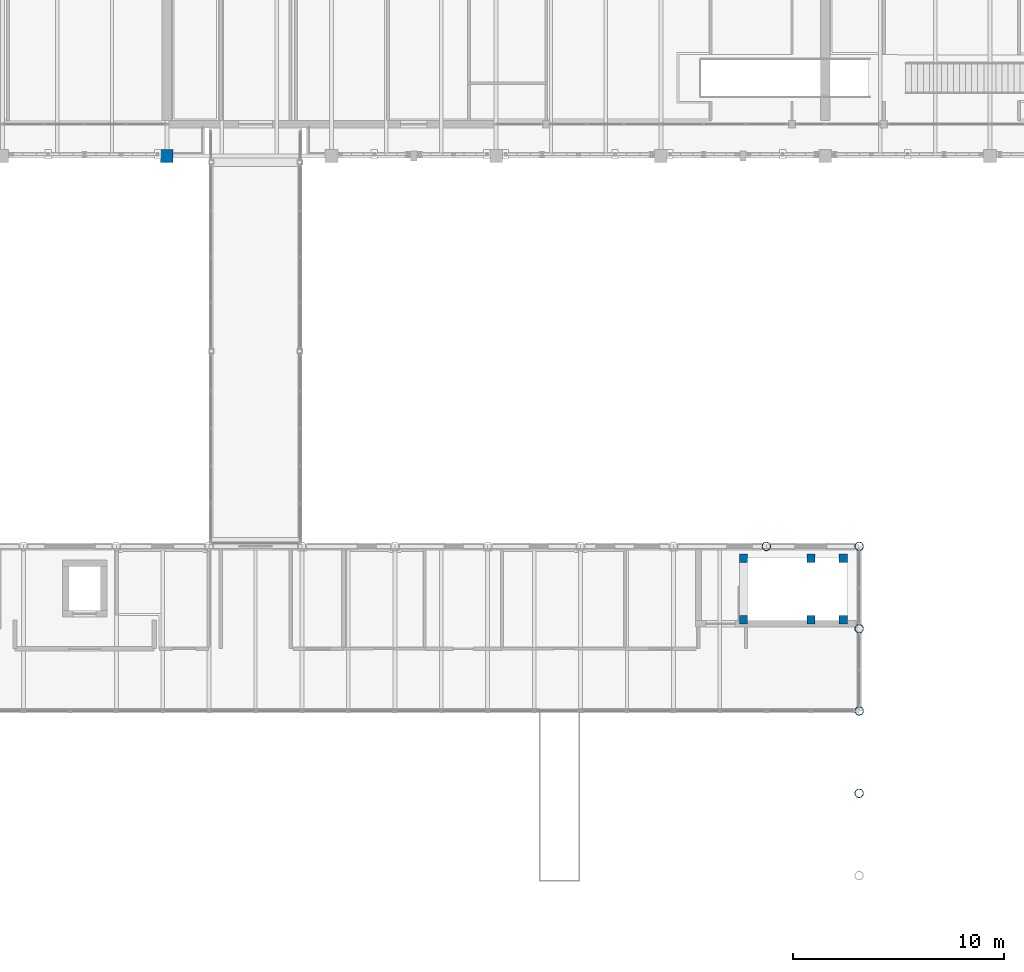
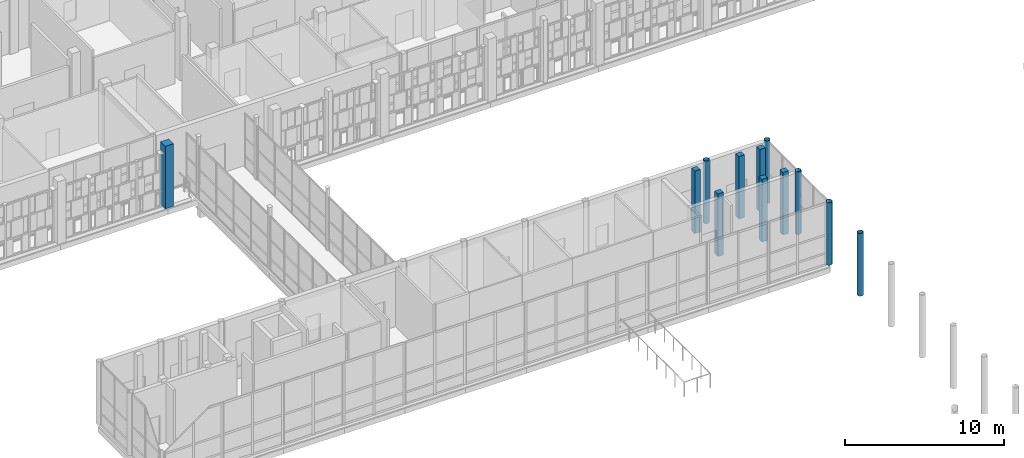
# One storey, part 12 of 138: 12 columns.
"""IFC4 building model written with IfcOpenShell, lengths in metres."""

from ifc_helpers import new_model, si_unit, direction, frame, origin, origin_2d, place, context, subcontext, project, spatial, rectangle, hollow_circle, extrude, material, material_profile, profile_set, type_object, element, save


model = new_model("IFC4")

# Units and contexts
model_context = context("Model", 3, precision=1e-05, world=origin(), true_north=direction((0.0, 1.0)))
body_context = subcontext(model_context, "Body", "Model", "MODEL_VIEW")
ifc_project = project(units=[si_unit("LENGTHUNIT", "METRE"), si_unit("AREAUNIT", "SQUARE_METRE"), si_unit("VOLUMEUNIT", "CUBIC_METRE"), si_unit("PLANEANGLEUNIT", "RADIAN"), si_unit("MASSUNIT", "GRAM", prefix="KILO")], contexts=[model_context])

# Site, building, storey
site_placement = place(None, origin())
site = spatial("IfcSite", under=ifc_project, at=site_placement, CompositionType="ELEMENT")
building_placement = place(site_placement, origin())
building = spatial("IfcBuilding", under=site, at=building_placement, Name="Celorna Specialist Clinic", CompositionType="ELEMENT")
storey_placement = place(building_placement, frame((0.0, 0.0, 4.800048828125)))
storey = spatial("IfcBuildingStorey", under=building, at=storey_placement, Name="L01", CompositionType="ELEMENT", Elevation=4.800048828125)

# Columns
ifc_material_1 = material(Name="Concrete C40/50", Category="concrete")
ifc_material_profile_1 = material_profile(ifc_material_1, rectangle(XDim=0.60009765625, YDim=0.60009765625, at=origin_2d()), Name="RC 600x600")
ifc_profile_set_1 = profile_set([ifc_material_profile_1], Name="Concrete C40/50")
column_type_1 = type_object("IfcColumnType", Name="CT-04", PredefinedType="COLUMN", material=ifc_profile_set_1)
column_placement = place(storey_placement, frame((70.199951171875, 96.5, 0.0), z_axis=(0.0, 0.0, 1.0), x_axis=(1.0, 0.0, 0.0)))
element("IfcColumn", 1, at=column_placement, inside=storey, type_object=column_type_1, Name="Column CT-04 L01 X10/YR", PredefinedType="COLUMN", context=body_context, shape_type="SweptSolid", body=[
    extrude(rectangle(XDim=0.60009765625, YDim=0.60009765625, at=origin_2d()), origin(), (0.0, 0.0, 1.0), 4.800048828125),
])
ifc_material_2 = material(Name="Concrete C35/45", Category="concrete")
ifc_material_profile_2 = material_profile(ifc_material_2, rectangle(XDim=0.39990234375, YDim=0.39990234375, at=origin_2d()), Name="RC 400x400")
ifc_profile_set_2 = profile_set([ifc_material_profile_2], Name="Concrete C35/45")
column_type_2 = type_object("IfcColumnType", Name="CT-08", PredefinedType="COLUMN", material=ifc_profile_set_2)
for number, where, z_axis, x_axis, name in (
    (2, (97.52001953125, 74.530029296875, 0.0), (0.0, 0.0, 1.0), (1.0, 0.0, 0.0), "Stair ST-11 landing column CT-08 L01 X14/YP"),
    (3, (97.52001953125, 77.429931640625, 0.0), (0.0, 0.0, 1.0), (1.0, 0.0, 0.0), "Stair ST-11 landing column CT-08 L01 X14/YP"),
    (4, (100.719970703125, 74.530029296875, 0.0), (0.0, 0.0, 1.0), (1.0, 0.0, 0.0), "Stair ST-11 landing column CT-08 L01 X14/YP"),
    (5, (100.719970703125, 77.429931640625, 0.0), (0.0, 0.0, 1.0), (1.0, 0.0, 0.0), "Stair ST-11 landing column CT-08 L01 X14/YP"),
    (6, (102.239990234375, 74.530029296875, 0.0), (0.0, 0.0, 1.0), (1.0, 0.0, 0.0), "Stair ST-11 landing column CT-08 L01 X14A/YP"),
    (7, (102.239990234375, 77.429931640625, 0.0), (0.0, 0.0, 1.0), (1.0, 0.0, 0.0), "Stair ST-11 landing column CT-08 L01 X14A/YP"),
):
    element("IfcColumn", number, at=place(storey_placement, frame(where, z_axis=z_axis, x_axis=x_axis)), inside=storey, type_object=column_type_2, Name=name, PredefinedType="COLUMN", context=body_context, shape_type="SweptSolid", body=[
        extrude(rectangle(XDim=0.39990234375, YDim=0.39990234375, at=origin_2d()), origin(), (0.0, 0.0, 1.0), 4.800048828125),
    ])
ifc_material_3 = material(Name="Steel S355", Category="steel")
ifc_material_profile_3 = material_profile(ifc_material_3, hollow_circle(Radius=0.203125, WallThickness=0.01611328125, at=origin_2d()), Name="CHS 406.4x16")
ifc_profile_set_3 = profile_set([ifc_material_profile_3], Name="Steel S355")
column_type_3 = type_object("IfcColumnType", Name="CT-12", PredefinedType="COLUMN", material=ifc_profile_set_3)
for number, where, z_axis, x_axis, name in (
    (8, (98.60009765625, 78.0, 0.0), (0.0, 0.0, 1.0), (1.0, 0.0, 0.0), "Column CT-12 L01 X14/YP"),
    (9, (103.0, 78.0, 0.0), (0.0, 0.0, 1.0), (1.0, 0.0, 0.0), "Column CT-12 L01 X14A/YP"),
    (10, (103.0, 66.300048828125, 0.0), (0.0, 0.0, 1.0), (1.0, 0.0, 0.0), "Column CT-12 L01 X14A/YM"),
    (11, (103.0, 70.199951171875, 0.0), (0.0, 0.0, 1.0), (1.0, 0.0, 0.0), "Column CT-12 L01 X14A/YN"),
    (12, (103.0, 74.10009765625, 0.0), (0.0, 0.0, 1.0), (1.0, 0.0, 0.0), "Column CT-12 L01 X14A/YN"),
):
    element("IfcColumn", number, at=place(storey_placement, frame(where, z_axis=z_axis, x_axis=x_axis)), inside=storey, type_object=column_type_3, Name=name, PredefinedType="COLUMN", context=body_context, shape_type="SweptSolid", body=[
        extrude(hollow_circle(Radius=0.203125, WallThickness=0.01611328125, at=origin_2d()), origin(), (0.0, 0.0, 1.0), 4.800048828125),
    ])

save(model, "model.ifc")
